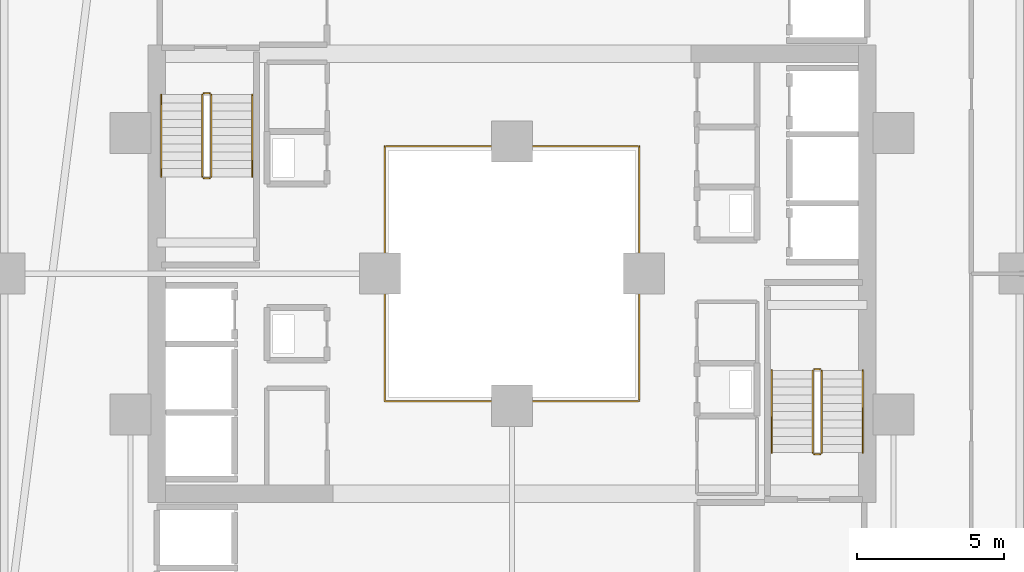
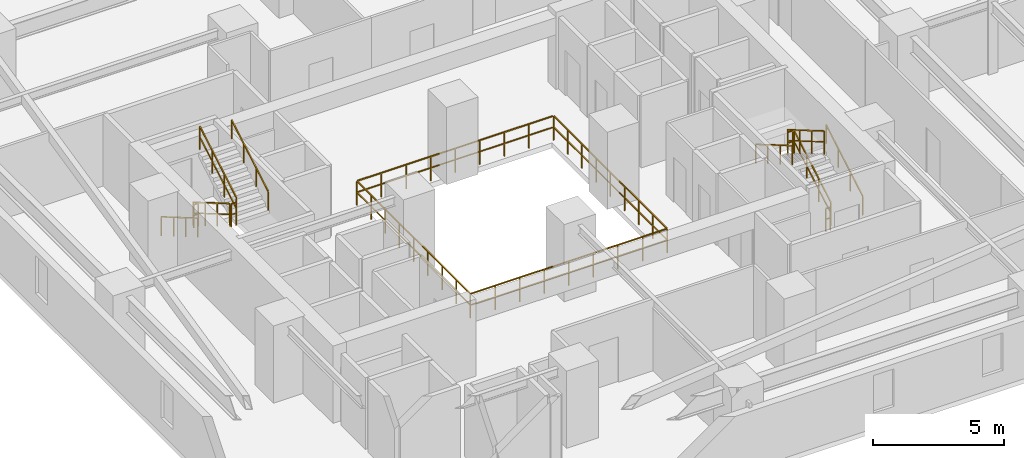
# One storey, part 33 of 34: 13 railings.
"""IFC4 building model written with IfcOpenShell, lengths in metres."""

import ifcopenshell
import ifcopenshell.guid

model = None  # the IFC model being written
_history = None  # IfcOwnerHistory: only IFC2X3 demands one
_inside = {}  # id of a spatial element -> (the spatial element, [elements in it])
_under = {}  # id of a project, library or spatial element -> (it, [spatial elements below it])
_declared = {}  # id of a project -> (the project, [libraries it declares])
_typed = {}  # id of a type object -> (the type object, [elements of that type])
_made_of = {}  # id of a material, layer set ... -> (it, [elements and type objects made of it])


def new_model(schema):
    """Start an empty IFC model of exactly this schema.

    Asked for "IFC4X3", IfcOpenShell would pick the latest addendum, in which some entities
    have other attributes; the version numbers below select the first issue.
    IFC2X3 requires an IfcOwnerHistory on every rooted entity: one is made here for all.
    """
    global model, _history
    if schema == "IFC4X3":
        model = ifcopenshell.file(schema_version=(4, 3, 0, 0))
    else:
        model = ifcopenshell.file(schema=schema)
    _inside.clear()
    _under.clear()
    _declared.clear()
    _typed.clear()
    _made_of.clear()
    _history = None
    if model.schema == "IFC2X3":
        org = make("IfcOrganization", Name="unknown")
        user = make(
            "IfcPersonAndOrganization",
            ThePerson=make("IfcPerson", FamilyName="unknown"),
            TheOrganization=org,
        )
        app = make(
            "IfcApplication",
            ApplicationDeveloper=org,
            Version="unknown",
            ApplicationFullName="unknown",
            ApplicationIdentifier="unknown",
        )
        _history = make(
            "IfcOwnerHistory",
            OwningUser=user,
            OwningApplication=app,
            ChangeAction="ADDED",
            CreationDate=0,
        )
    return model


def make(cls, **values):
    """One entity of the class cls with the attributes given. An attribute that is None is left unset."""
    return model.create_entity(
        cls, **{name: value for name, value in values.items() if value is not None}
    )


def rooted(cls, **values):
    """An entity with a GlobalId (a new one), such as an element, a storey or a relation."""
    return make(cls, GlobalId=ifcopenshell.guid.new(), OwnerHistory=_history, **values)


def si_unit(unit_type, name, prefix=None):
    """IfcSIUnit, for example si_unit("LENGTHUNIT", "METRE", prefix="MILLI")."""
    return make("IfcSIUnit", UnitType=unit_type, Prefix=prefix, Name=name)


def assignment(units):
    """IfcUnitAssignment: the units of a project."""
    return None if units is None else make("IfcUnitAssignment", Units=units)


def point(xyz):
    """IfcCartesianPoint."""
    return None if xyz is None else make("IfcCartesianPoint", Coordinates=xyz)


def direction(xyz):
    """IfcDirection."""
    return None if xyz is None else make("IfcDirection", DirectionRatios=xyz)


def frame(location, z_axis=None, x_axis=None):
    """IfcAxis2Placement3D, a coordinate frame: its origin and axes. An axis left out is left unset."""
    return make(
        "IfcAxis2Placement3D",
        Location=point(location),
        Axis=direction(z_axis),
        RefDirection=direction(x_axis),
    )


def frame_2d(location, x_axis=None):
    """IfcAxis2Placement2D, a coordinate frame in the plane: its origin and x axis."""
    return make(
        "IfcAxis2Placement2D", Location=point(location), RefDirection=direction(x_axis)
    )


def origin():
    """The frame at (0, 0, 0) with its axes left unset."""
    return frame((0.0, 0.0, 0.0))


def origin_2d():
    """The frame at (0, 0) in the plane with its x axis left unset."""
    return frame_2d((0.0, 0.0))


def place(relative_to, where):
    """IfcLocalPlacement: puts the frame where relative to a parent placement (None: the world)."""
    return make(
        "IfcLocalPlacement", PlacementRelTo=relative_to, RelativePlacement=where
    )


def context(
    kind, dimensions, precision=None, world=None, true_north=None, identifier=None
):
    """IfcGeometricRepresentationContext, for example the 3D "Model" context."""
    return make(
        "IfcGeometricRepresentationContext",
        ContextIdentifier=identifier,
        ContextType=kind,
        CoordinateSpaceDimension=dimensions,
        Precision=precision,
        WorldCoordinateSystem=world,
        TrueNorth=true_north,
    )


def subcontext(parent, identifier, kind, view, scale=None):
    """IfcGeometricRepresentationSubContext, for example "Body" below "Model"."""
    return make(
        "IfcGeometricRepresentationSubContext",
        ContextIdentifier=identifier,
        ContextType=kind,
        ParentContext=parent,
        TargetScale=scale,
        TargetView=view,
    )


def project(units=None, contexts=None):
    """IfcProject with its units and contexts."""
    return rooted(
        "IfcProject",
        Name="project",
        RepresentationContexts=contexts,
        UnitsInContext=assignment(units),
    )


def spatial(cls, under=None, at=None, **own):
    """A site, building, storey or space (cls), placed at a placement, below another one or the project."""
    s = rooted(cls, ObjectPlacement=at, **own)
    if under is not None:
        _under.setdefault(under.id(), (under, []))[1].append(s)
    return s


def profile(cls, at=None, kind="AREA", **sizes):
    """A parametric profile (cls). Its sizes go by their IFC names, for example OverallWidth=200.0."""
    return make(cls, ProfileType=kind, Position=at, **sizes)


def rectangle(**sizes):
    """IfcRectangleProfileDef."""
    return profile("IfcRectangleProfileDef", **sizes)


def extrude(swept, where, along, depth):
    """IfcExtrudedAreaSolid: the profile swept, set in the frame where, extruded along a direction by depth."""
    return make(
        "IfcExtrudedAreaSolid",
        SweptArea=swept,
        Position=where,
        ExtrudedDirection=direction(along),
        Depth=depth,
    )


def shape(context_of_items, identifier, shape_type, items):
    """IfcShapeRepresentation: the items that make up one representation, for example the "Body"."""
    return make(
        "IfcShapeRepresentation",
        ContextOfItems=context_of_items,
        RepresentationIdentifier=identifier,
        RepresentationType=shape_type,
        Items=items,
    )


def material(Name=None, Category=None):
    """IfcMaterial."""
    return make("IfcMaterial", Name=Name, Category=Category)


def made_of(thing, what):
    """Note that an element or type object is made of a material, layer set ...; save() writes the relation."""
    if what is not None:
        _made_of.setdefault(what.id(), (what, []))[1].append(thing)
    return thing


def type_object(cls, material=None, **own):
    """A type object (cls), such as IfcWallType, which elements share."""
    return made_of(rooted(cls, **own), material)


def element(
    cls,
    number,
    at=None,
    inside=None,
    cuts=None,
    type_object=None,
    material=None,
    context=None,
    identifier="Body",
    shape_type=None,
    held_by="IfcProductDefinitionShape",
    body=None,
    shapes=None,
    **own,
):
    """One element of the class cls, such as IfcWall. Its Tag is "e" and its number.

    at: its placement. inside: the storey or other place that contains it. cuts: it is an
    opening in that element (IfcRelVoidsElement). A single representation is given by context,
    identifier, shape_type and body (its items); several are given by shapes. held_by: the class
    of the entity that holds the representations. save() writes the other relations.
    """
    e = rooted(cls, Tag="e%d" % number, ObjectPlacement=at, **own)
    if body is not None:
        shapes = [shape(context, identifier, shape_type, body)]
    if shapes is not None:
        e.Representation = make(held_by, Representations=shapes)
    if inside is not None:
        _inside.setdefault(inside.id(), (inside, []))[1].append(e)
    if cuts is not None:
        rooted(
            "IfcRelVoidsElement", RelatingBuildingElement=cuts, RelatedOpeningElement=e
        )
    if type_object is not None:
        _typed.setdefault(type_object.id(), (type_object, []))[1].append(e)
    return made_of(e, material)


def aggregate(whole, parts):
    """IfcRelAggregates: a whole, such as a stair, and the parts it consists of."""
    return rooted("IfcRelAggregates", RelatingObject=whole, RelatedObjects=parts)


def save(model, path):
    """Write the relations noted so far, then the file.

    IfcRelAggregates (storeys below a building ...), IfcRelContainedInSpatialStructure (elements
    in a storey), IfcRelDefinesByType, IfcRelAssociatesMaterial and IfcRelDeclares: one each for
    every whole, place, type object, material and project.
    """
    for whole, parts in _under.values():
        aggregate(whole, parts)
    for where, things in _inside.values():
        rooted(
            "IfcRelContainedInSpatialStructure",
            RelatedElements=things,
            RelatingStructure=where,
        )
    for kind, things in _typed.values():
        rooted("IfcRelDefinesByType", RelatedObjects=things, RelatingType=kind)
    for what, things in _made_of.values():
        rooted("IfcRelAssociatesMaterial", RelatedObjects=things, RelatingMaterial=what)
    for by, libraries in _declared.values():
        rooted("IfcRelDeclares", RelatingContext=by, RelatedDefinitions=libraries)
    model.write(path)


model = new_model("IFC4")

# Units and contexts
model_context = context("Model", 3, precision=1e-05, world=origin(), true_north=direction((0.0, 1.0)))
body_context = subcontext(model_context, "Body", "Model", "MODEL_VIEW")
ifc_project = project(units=[si_unit("LENGTHUNIT", "METRE"), si_unit("AREAUNIT", "SQUARE_METRE"), si_unit("VOLUMEUNIT", "CUBIC_METRE"), si_unit("PLANEANGLEUNIT", "RADIAN"), si_unit("MASSUNIT", "GRAM", prefix="KILO")], contexts=[model_context])

# Site, building, storey
site_placement = place(None, origin())
site = spatial("IfcSite", under=ifc_project, at=site_placement, CompositionType="ELEMENT")
building_placement = place(site_placement, origin())
building = spatial("IfcBuilding", under=site, at=building_placement, Name="Thornwick Lancets Civic Towers", CompositionType="ELEMENT")
storey_placement = place(building_placement, frame((0.0, 0.0, 57.300048828125)))
storey = spatial("IfcBuildingStorey", under=building, at=storey_placement, Name="L14", CompositionType="ELEMENT", Elevation=57.300048828125)

# Railings
ifc_material_1 = material(Name="Laminated glass and bronze steel S355", Category="steel")
railing_type_1 = type_object("IfcRailingType", Name="RAIL_ATRIUM_GUARD", PredefinedType="BALUSTRADE", material=ifc_material_1)
railing_1_placement = place(storey_placement, frame((84.159912109375, 22.659912109375, 0.0)))
element("IfcRailing", 1, at=railing_1_placement, inside=storey, type_object=railing_type_1, Name="L14 Tower B Central Atrium Guard Balustrade", PredefinedType="BALUSTRADE", context=body_context, shape_type="SweptSolid", body=[
    extrude(rectangle(XDim=0.048095703125, YDim=0.048095703125, at=origin_2d()), frame((0.0, 0.0, 1.1259765625), z_axis=(1.0, 0.0, 0.0), x_axis=(0.0, 1.0, 0.0)), (0.0, 0.0, 1.0), 8.64892578125),
    extrude(rectangle(XDim=0.0419921875, YDim=0.0419921875, at=origin_2d()), frame((0.03759765625, 0.0, 0.597900390625), z_axis=(1.0, 0.0, 0.0), x_axis=(0.0, 1.0, 0.0)), (0.0, 0.0, 1.0), 1.010009765625),
    extrude(rectangle(XDim=0.0419921875, YDim=0.0419921875, at=origin_2d()), frame((1.12255859375, 0.0, 0.597900390625), z_axis=(1.0, 0.0, 0.0), x_axis=(0.0, 1.0, 0.0)), (0.0, 0.0, 1.0), 1.010009765625),
    extrude(rectangle(XDim=0.0419921875, YDim=0.0419921875, at=origin_2d()), frame((2.20751953125, 0.0, 0.597900390625), z_axis=(1.0, 0.0, 0.0), x_axis=(0.0, 1.0, 0.0)), (0.0, 0.0, 1.0), 1.010009765625),
    extrude(rectangle(XDim=0.0419921875, YDim=0.0419921875, at=origin_2d()), frame((3.29248046875, 0.0, 0.597900390625), z_axis=(1.0, 0.0, 0.0), x_axis=(0.0, 1.0, 0.0)), (0.0, 0.0, 1.0), 1.010009765625),
    extrude(rectangle(XDim=0.0419921875, YDim=0.0419921875, at=origin_2d()), frame((4.377685546875, 0.0, 0.597900390625), z_axis=(1.0, 0.0, 0.0), x_axis=(0.0, 1.0, 0.0)), (0.0, 0.0, 1.0), 1.010009765625),
    extrude(rectangle(XDim=0.0419921875, YDim=0.0419921875, at=origin_2d()), frame((5.462646484375, 0.0, 0.597900390625), z_axis=(1.0, 0.0, 0.0), x_axis=(0.0, 1.0, 0.0)), (0.0, 0.0, 1.0), 1.010009765625),
    extrude(rectangle(XDim=0.0419921875, YDim=0.0419921875, at=origin_2d()), frame((6.547607421875, 0.0, 0.597900390625), z_axis=(1.0, 0.0, 0.0), x_axis=(0.0, 1.0, 0.0)), (0.0, 0.0, 1.0), 1.010009765625),
    extrude(rectangle(XDim=0.0419921875, YDim=0.0419921875, at=origin_2d()), frame((7.632568359375, 0.0, 0.597900390625), z_axis=(1.0, 0.0, 0.0), x_axis=(0.0, 1.0, 0.0)), (0.0, 0.0, 1.0), 1.010009765625),
    extrude(rectangle(XDim=0.048095703125, YDim=0.048095703125, at=origin_2d()), frame((8.68017578125, 0.03125, 1.1259765625), z_axis=(0.0, 1.0, 0.0), x_axis=(-1.0, 0.0, 0.0)), (0.0, 0.0, 1.0), 8.61767578125),
    extrude(rectangle(XDim=0.0419921875, YDim=0.0419921875, at=origin_2d()), frame((8.68017578125, 0.03759765625, 0.597900390625), z_axis=(0.0, 1.0, 0.0), x_axis=(-1.0, 0.0, 0.0)), (0.0, 0.0, 1.0), 1.010009765625),
    extrude(rectangle(XDim=0.0419921875, YDim=0.0419921875, at=origin_2d()), frame((8.68017578125, 1.12255859375, 0.597900390625), z_axis=(0.0, 1.0, 0.0), x_axis=(-1.0, 0.0, 0.0)), (0.0, 0.0, 1.0), 1.010009765625),
    extrude(rectangle(XDim=0.0419921875, YDim=0.0419921875, at=origin_2d()), frame((8.68017578125, 2.20751953125, 0.597900390625), z_axis=(0.0, 1.0, 0.0), x_axis=(-1.0, 0.0, 0.0)), (0.0, 0.0, 1.0), 1.010009765625),
    extrude(rectangle(XDim=0.0419921875, YDim=0.0419921875, at=origin_2d()), frame((8.68017578125, 3.29248046875, 0.597900390625), z_axis=(0.0, 1.0, 0.0), x_axis=(-1.0, 0.0, 0.0)), (0.0, 0.0, 1.0), 1.010009765625),
    extrude(rectangle(XDim=0.0419921875, YDim=0.0419921875, at=origin_2d()), frame((8.68017578125, 4.377685546875, 0.597900390625), z_axis=(0.0, 1.0, 0.0), x_axis=(-1.0, 0.0, 0.0)), (0.0, 0.0, 1.0), 1.010009765625),
    extrude(rectangle(XDim=0.0419921875, YDim=0.0419921875, at=origin_2d()), frame((8.68017578125, 5.462646484375, 0.597900390625), z_axis=(0.0, 1.0, 0.0), x_axis=(-1.0, 0.0, 0.0)), (0.0, 0.0, 1.0), 1.010009765625),
    extrude(rectangle(XDim=0.0419921875, YDim=0.0419921875, at=origin_2d()), frame((8.68017578125, 6.547607421875, 0.597900390625), z_axis=(0.0, 1.0, 0.0), x_axis=(-1.0, 0.0, 0.0)), (0.0, 0.0, 1.0), 1.010009765625),
    extrude(rectangle(XDim=0.0419921875, YDim=0.0419921875, at=origin_2d()), frame((8.68017578125, 7.632568359375, 0.597900390625), z_axis=(0.0, 1.0, 0.0), x_axis=(-1.0, 0.0, 0.0)), (0.0, 0.0, 1.0), 1.010009765625),
    extrude(rectangle(XDim=0.048095703125, YDim=0.048095703125, at=origin_2d()), frame((8.64892578125, 8.68017578125, 1.1259765625), z_axis=(-1.0, 0.0, 0.0), x_axis=(0.0, -1.0, 0.0)), (0.0, 0.0, 1.0), 8.61767578125),
    extrude(rectangle(XDim=0.0419921875, YDim=0.0419921875, at=origin_2d()), frame((8.642578125, 8.68017578125, 0.597900390625), z_axis=(-1.0, 0.0, 0.0), x_axis=(0.0, -1.0, 0.0)), (0.0, 0.0, 1.0), 1.010009765625),
    extrude(rectangle(XDim=0.0419921875, YDim=0.0419921875, at=origin_2d()), frame((7.5576171875, 8.68017578125, 0.597900390625), z_axis=(-1.0, 0.0, 0.0), x_axis=(0.0, -1.0, 0.0)), (0.0, 0.0, 1.0), 1.010009765625),
    extrude(rectangle(XDim=0.0419921875, YDim=0.0419921875, at=origin_2d()), frame((6.47265625, 8.68017578125, 0.597900390625), z_axis=(-1.0, 0.0, 0.0), x_axis=(0.0, -1.0, 0.0)), (0.0, 0.0, 1.0), 1.010009765625),
    extrude(rectangle(XDim=0.0419921875, YDim=0.0419921875, at=origin_2d()), frame((5.3876953125, 8.68017578125, 0.597900390625), z_axis=(-1.0, 0.0, 0.0), x_axis=(0.0, -1.0, 0.0)), (0.0, 0.0, 1.0), 1.010009765625),
    extrude(rectangle(XDim=0.0419921875, YDim=0.0419921875, at=origin_2d()), frame((4.302490234375, 8.68017578125, 0.597900390625), z_axis=(-1.0, 0.0, 0.0), x_axis=(0.0, -1.0, 0.0)), (0.0, 0.0, 1.0), 1.010009765625),
    extrude(rectangle(XDim=0.0419921875, YDim=0.0419921875, at=origin_2d()), frame((3.217529296875, 8.68017578125, 0.597900390625), z_axis=(-1.0, 0.0, 0.0), x_axis=(0.0, -1.0, 0.0)), (0.0, 0.0, 1.0), 1.010009765625),
    extrude(rectangle(XDim=0.0419921875, YDim=0.0419921875, at=origin_2d()), frame((2.132568359375, 8.68017578125, 0.597900390625), z_axis=(-1.0, 0.0, 0.0), x_axis=(0.0, -1.0, 0.0)), (0.0, 0.0, 1.0), 1.010009765625),
    extrude(rectangle(XDim=0.0419921875, YDim=0.0419921875, at=origin_2d()), frame((1.047607421875, 8.68017578125, 0.597900390625), z_axis=(-1.0, 0.0, 0.0), x_axis=(0.0, -1.0, 0.0)), (0.0, 0.0, 1.0), 1.010009765625),
    extrude(rectangle(XDim=0.048095703125, YDim=0.048095703125, at=origin_2d()), frame((0.0, 8.64892578125, 1.1259765625), z_axis=(0.0, -1.0, 0.0), x_axis=(1.0, 0.0, 0.0)), (0.0, 0.0, 1.0), 8.64892578125),
    extrude(rectangle(XDim=0.0419921875, YDim=0.0419921875, at=origin_2d()), frame((0.0, 8.642578125, 0.597900390625), z_axis=(0.0, -1.0, 0.0), x_axis=(1.0, 0.0, 0.0)), (0.0, 0.0, 1.0), 1.010009765625),
    extrude(rectangle(XDim=0.0419921875, YDim=0.0419921875, at=origin_2d()), frame((0.0, 7.5576171875, 0.597900390625), z_axis=(0.0, -1.0, 0.0), x_axis=(1.0, 0.0, 0.0)), (0.0, 0.0, 1.0), 1.010009765625),
    extrude(rectangle(XDim=0.0419921875, YDim=0.0419921875, at=origin_2d()), frame((0.0, 6.47265625, 0.597900390625), z_axis=(0.0, -1.0, 0.0), x_axis=(1.0, 0.0, 0.0)), (0.0, 0.0, 1.0), 1.010009765625),
    extrude(rectangle(XDim=0.0419921875, YDim=0.0419921875, at=origin_2d()), frame((0.0, 5.3876953125, 0.597900390625), z_axis=(0.0, -1.0, 0.0), x_axis=(1.0, 0.0, 0.0)), (0.0, 0.0, 1.0), 1.010009765625),
    extrude(rectangle(XDim=0.0419921875, YDim=0.0419921875, at=origin_2d()), frame((0.0, 4.302490234375, 0.597900390625), z_axis=(0.0, -1.0, 0.0), x_axis=(1.0, 0.0, 0.0)), (0.0, 0.0, 1.0), 1.010009765625),
    extrude(rectangle(XDim=0.0419921875, YDim=0.0419921875, at=origin_2d()), frame((0.0, 3.217529296875, 0.597900390625), z_axis=(0.0, -1.0, 0.0), x_axis=(1.0, 0.0, 0.0)), (0.0, 0.0, 1.0), 1.010009765625),
    extrude(rectangle(XDim=0.0419921875, YDim=0.0419921875, at=origin_2d()), frame((0.0, 2.132568359375, 0.597900390625), z_axis=(0.0, -1.0, 0.0), x_axis=(1.0, 0.0, 0.0)), (0.0, 0.0, 1.0), 1.010009765625),
    extrude(rectangle(XDim=0.0419921875, YDim=0.0419921875, at=origin_2d()), frame((0.0, 1.047607421875, 0.597900390625), z_axis=(0.0, -1.0, 0.0), x_axis=(1.0, 0.0, 0.0)), (0.0, 0.0, 1.0), 1.010009765625),
    extrude(rectangle(XDim=0.0419921875, YDim=0.0419921875, at=origin_2d()), origin(), (0.0, 0.0, 1.0), 1.095703125),
    extrude(rectangle(XDim=0.0419921875, YDim=0.0419921875, at=origin_2d()), frame((1.0849609375, 0.0, 0.0)), (0.0, 0.0, 1.0), 1.095703125),
    extrude(rectangle(XDim=0.0419921875, YDim=0.0419921875, at=origin_2d()), frame((2.169921875, 0.0, 0.0)), (0.0, 0.0, 1.0), 1.095703125),
    extrude(rectangle(XDim=0.0419921875, YDim=0.0419921875, at=origin_2d()), frame((3.255126953125, 0.0, 0.0)), (0.0, 0.0, 1.0), 1.095703125),
    extrude(rectangle(XDim=0.0419921875, YDim=0.0419921875, at=origin_2d()), frame((4.340087890625, 0.0, 0.0)), (0.0, 0.0, 1.0), 1.095703125),
    extrude(rectangle(XDim=0.0419921875, YDim=0.0419921875, at=origin_2d()), frame((5.425048828125, 0.0, 0.0)), (0.0, 0.0, 1.0), 1.095703125),
    extrude(rectangle(XDim=0.0419921875, YDim=0.0419921875, at=origin_2d()), frame((6.51025390625, 0.0, 0.0)), (0.0, 0.0, 1.0), 1.095703125),
    extrude(rectangle(XDim=0.0419921875, YDim=0.0419921875, at=origin_2d()), frame((7.59521484375, 0.0, 0.0)), (0.0, 0.0, 1.0), 1.095703125),
    extrude(rectangle(XDim=0.0419921875, YDim=0.0419921875, at=origin_2d()), frame((8.68017578125, 0.0, 0.0)), (0.0, 0.0, 1.0), 1.095703125),
    extrude(rectangle(XDim=0.0419921875, YDim=0.0419921875, at=origin_2d()), frame((8.68017578125, 1.0849609375, 0.0)), (0.0, 0.0, 1.0), 1.095703125),
    extrude(rectangle(XDim=0.0419921875, YDim=0.0419921875, at=origin_2d()), frame((8.68017578125, 2.169921875, 0.0)), (0.0, 0.0, 1.0), 1.095703125),
    extrude(rectangle(XDim=0.0419921875, YDim=0.0419921875, at=origin_2d()), frame((8.68017578125, 3.255126953125, 0.0)), (0.0, 0.0, 1.0), 1.095703125),
    extrude(rectangle(XDim=0.0419921875, YDim=0.0419921875, at=origin_2d()), frame((8.68017578125, 4.340087890625, 0.0)), (0.0, 0.0, 1.0), 1.095703125),
    extrude(rectangle(XDim=0.0419921875, YDim=0.0419921875, at=origin_2d()), frame((8.68017578125, 5.425048828125, 0.0)), (0.0, 0.0, 1.0), 1.095703125),
    extrude(rectangle(XDim=0.0419921875, YDim=0.0419921875, at=origin_2d()), frame((8.68017578125, 6.51025390625, 0.0)), (0.0, 0.0, 1.0), 1.095703125),
    extrude(rectangle(XDim=0.0419921875, YDim=0.0419921875, at=origin_2d()), frame((8.68017578125, 7.59521484375, 0.0)), (0.0, 0.0, 1.0), 1.095703125),
    extrude(rectangle(XDim=0.0419921875, YDim=0.0419921875, at=origin_2d()), frame((8.68017578125, 8.68017578125, 0.0)), (0.0, 0.0, 1.0), 1.095703125),
    extrude(rectangle(XDim=0.0419921875, YDim=0.0419921875, at=origin_2d()), frame((7.59521484375, 8.68017578125, 0.0)), (0.0, 0.0, 1.0), 1.095703125),
    extrude(rectangle(XDim=0.0419921875, YDim=0.0419921875, at=origin_2d()), frame((6.51025390625, 8.68017578125, 0.0)), (0.0, 0.0, 1.0), 1.095703125),
    extrude(rectangle(XDim=0.0419921875, YDim=0.0419921875, at=origin_2d()), frame((5.425048828125, 8.68017578125, 0.0)), (0.0, 0.0, 1.0), 1.095703125),
    extrude(rectangle(XDim=0.0419921875, YDim=0.0419921875, at=origin_2d()), frame((4.340087890625, 8.68017578125, 0.0)), (0.0, 0.0, 1.0), 1.095703125),
    extrude(rectangle(XDim=0.0419921875, YDim=0.0419921875, at=origin_2d()), frame((3.255126953125, 8.68017578125, 0.0)), (0.0, 0.0, 1.0), 1.095703125),
    extrude(rectangle(XDim=0.0419921875, YDim=0.0419921875, at=origin_2d()), frame((2.169921875, 8.68017578125, 0.0)), (0.0, 0.0, 1.0), 1.095703125),
    extrude(rectangle(XDim=0.0419921875, YDim=0.0419921875, at=origin_2d()), frame((1.0849609375, 8.68017578125, 0.0)), (0.0, 0.0, 1.0), 1.095703125),
    extrude(rectangle(XDim=0.0419921875, YDim=0.0419921875, at=origin_2d()), frame((0.0, 8.68017578125, 0.0)), (0.0, 0.0, 1.0), 1.095703125),
    extrude(rectangle(XDim=0.0419921875, YDim=0.0419921875, at=origin_2d()), frame((0.0, 7.59521484375, 0.0)), (0.0, 0.0, 1.0), 1.095703125),
    extrude(rectangle(XDim=0.0419921875, YDim=0.0419921875, at=origin_2d()), frame((0.0, 6.51025390625, 0.0)), (0.0, 0.0, 1.0), 1.095703125),
    extrude(rectangle(XDim=0.0419921875, YDim=0.0419921875, at=origin_2d()), frame((0.0, 5.425048828125, 0.0)), (0.0, 0.0, 1.0), 1.095703125),
    extrude(rectangle(XDim=0.0419921875, YDim=0.0419921875, at=origin_2d()), frame((0.0, 4.340087890625, 0.0)), (0.0, 0.0, 1.0), 1.095703125),
    extrude(rectangle(XDim=0.0419921875, YDim=0.0419921875, at=origin_2d()), frame((0.0, 3.255126953125, 0.0)), (0.0, 0.0, 1.0), 1.095703125),
    extrude(rectangle(XDim=0.0419921875, YDim=0.0419921875, at=origin_2d()), frame((0.0, 2.169921875, 0.0)), (0.0, 0.0, 1.0), 1.095703125),
    extrude(rectangle(XDim=0.0419921875, YDim=0.0419921875, at=origin_2d()), frame((0.0, 1.0849609375, 0.0)), (0.0, 0.0, 1.0), 1.095703125),
])
ifc_material_2 = material(Name="Brushed stainless steel S355", Category="steel")
railing_type_2 = type_object("IfcRailingType", Name="RAIL_HANDRAIL", PredefinedType="HANDRAIL", material=ifc_material_2)
railing_2_placement = place(storey_placement, frame((100.449951171875, 20.89990234375, 0.16357421875)))
element("IfcRailing", 2, at=railing_2_placement, inside=storey, type_object=railing_type_2, Name="L14 ST-B1 stair handrail 1", PredefinedType="HANDRAIL", context=body_context, shape_type="SweptSolid", body=[
    extrude(rectangle(XDim=0.048095703125, YDim=0.048095703125, at=origin_2d()), frame((0.0, 0.0, 0.8857421875), z_axis=(0.0, 0.863360870873, 0.504586966384), x_axis=(-1.0, 0.0, 0.0)), (0.0, 0.0, 1.0), 3.2431640625),
    extrude(rectangle(XDim=0.0419921875, YDim=0.0419921875, at=origin_2d()), origin(), (0.0, 0.0, 1.0), 0.855712890625),
    extrude(rectangle(XDim=0.0419921875, YDim=0.0419921875, at=origin_2d()), frame((0.0, 0.933349609375, 0.54541015625)), (0.0, 0.0, 1.0), 0.855712890625),
    extrude(rectangle(XDim=0.0419921875, YDim=0.0419921875, at=origin_2d()), frame((0.0, 1.86669921875, 1.091064453125)), (0.0, 0.0, 1.0), 0.855712890625),
    extrude(rectangle(XDim=0.0419921875, YDim=0.0419921875, at=origin_2d()), frame((0.0, 2.800048828125, 1.636474609375)), (0.0, 0.0, 1.0), 0.855712890625),
])
railing_3_placement = place(storey_placement, frame((97.35009765625, 23.699951171875, 1.963623046875)))
element("IfcRailing", 3, at=railing_3_placement, inside=storey, type_object=railing_type_2, Name="L14 ST-B1 stair handrail 2", PredefinedType="HANDRAIL", context=body_context, shape_type="SweptSolid", body=[
    extrude(rectangle(XDim=0.048095703125, YDim=0.048095703125, at=origin_2d()), frame((0.0, 0.0, 0.8857421875), z_axis=(0.0, -0.863393664356, 0.504530851732), x_axis=(1.0, 0.0, 0.0)), (0.0, 0.0, 1.0), 3.2431640625),
    extrude(rectangle(XDim=0.0419921875, YDim=0.0419921875, at=origin_2d()), origin(), (0.0, 0.0, 1.0), 0.855712890625),
    extrude(rectangle(XDim=0.0419921875, YDim=0.0419921875, at=origin_2d()), frame((0.0, -0.933349609375, 0.54541015625)), (0.0, 0.0, 1.0), 0.855712890625),
    extrude(rectangle(XDim=0.0419921875, YDim=0.0419921875, at=origin_2d()), frame((0.0, -1.86669921875, 1.0908203125)), (0.0, 0.0, 1.0), 0.855712890625),
    extrude(rectangle(XDim=0.0419921875, YDim=0.0419921875, at=origin_2d()), frame((0.0, -2.800048828125, 1.63623046875)), (0.0, 0.0, 1.0), 0.855712890625),
])
railing_4_placement = place(storey_placement, frame((76.550048828125, 33.10009765625, 0.16357421875)))
element("IfcRailing", 4, at=railing_4_placement, inside=storey, type_object=railing_type_2, Name="L14 ST-B2 stair handrail 1", PredefinedType="HANDRAIL", context=body_context, shape_type="SweptSolid", body=[
    extrude(rectangle(XDim=0.048095703125, YDim=0.048095703125, at=origin_2d()), frame((0.0, 0.0, 0.8857421875), z_axis=(0.0, -0.863360870873, 0.504586966384), x_axis=(1.0, 0.0, 0.0)), (0.0, 0.0, 1.0), 3.2431640625),
    extrude(rectangle(XDim=0.0419921875, YDim=0.0419921875, at=origin_2d()), origin(), (0.0, 0.0, 1.0), 0.855712890625),
    extrude(rectangle(XDim=0.0419921875, YDim=0.0419921875, at=origin_2d()), frame((0.0, -0.933349609375, 0.54541015625)), (0.0, 0.0, 1.0), 0.855712890625),
    extrude(rectangle(XDim=0.0419921875, YDim=0.0419921875, at=origin_2d()), frame((0.0, -1.86669921875, 1.091064453125)), (0.0, 0.0, 1.0), 0.855712890625),
    extrude(rectangle(XDim=0.0419921875, YDim=0.0419921875, at=origin_2d()), frame((0.0, -2.800048828125, 1.636474609375)), (0.0, 0.0, 1.0), 0.855712890625),
])
railing_5_placement = place(storey_placement, frame((79.64990234375, 30.300048828125, 1.963623046875)))
element("IfcRailing", 5, at=railing_5_placement, inside=storey, type_object=railing_type_2, Name="L14 ST-B2 stair handrail 2", PredefinedType="HANDRAIL", context=body_context, shape_type="SweptSolid", body=[
    extrude(rectangle(XDim=0.048095703125, YDim=0.048095703125, at=origin_2d()), frame((0.0, 0.0, 0.8857421875), z_axis=(0.0, 0.863393664356, 0.504530851732), x_axis=(-1.0, 0.0, 0.0)), (0.0, 0.0, 1.0), 3.2431640625),
    extrude(rectangle(XDim=0.0419921875, YDim=0.0419921875, at=origin_2d()), origin(), (0.0, 0.0, 1.0), 0.855712890625),
    extrude(rectangle(XDim=0.0419921875, YDim=0.0419921875, at=origin_2d()), frame((0.0, 0.933349609375, 0.54541015625)), (0.0, 0.0, 1.0), 0.855712890625),
    extrude(rectangle(XDim=0.0419921875, YDim=0.0419921875, at=origin_2d()), frame((0.0, 1.86669921875, 1.0908203125)), (0.0, 0.0, 1.0), 0.855712890625),
    extrude(rectangle(XDim=0.0419921875, YDim=0.0419921875, at=origin_2d()), frame((0.0, 2.800048828125, 1.63623046875)), (0.0, 0.0, 1.0), 0.855712890625),
])
ifc_material_3 = material(Name="Steel S355JR", Category="steel")
railing_type_3 = type_object("IfcRailingType", Name="RAIL_STAIR_GUARD", PredefinedType="GUARDRAIL", material=ifc_material_3)
railing_6_placement = place(storey_placement, frame((99.050048828125, 20.89990234375, 0.16357421875)))
element("IfcRailing", 6, at=railing_6_placement, inside=storey, type_object=railing_type_3, Name="L14 ST-B1 stair guard 1", PredefinedType="GUARDRAIL", context=body_context, shape_type="SweptSolid", body=[
    extrude(rectangle(XDim=0.048095703125, YDim=0.048095703125, at=origin_2d()), frame((0.0, 0.0, 1.076171875), z_axis=(0.0, 0.863360870873, 0.504586966384), x_axis=(-1.0, 0.0, 0.0)), (0.0, 0.0, 1.0), 3.2431640625),
    extrude(rectangle(XDim=0.0419921875, YDim=0.0419921875, at=origin_2d()), frame((0.0, 0.032470703125, 0.591064453125), z_axis=(0.0, 0.863360870873, 0.504586966384), x_axis=(-1.0, 0.0, 0.0)), (0.0, 0.0, 1.0), 1.006103515625),
    extrude(rectangle(XDim=0.0419921875, YDim=0.0419921875, at=origin_2d()), frame((0.0, 0.9658203125, 1.136474609375), z_axis=(0.0, 0.863360870873, 0.504586966384), x_axis=(-1.0, 0.0, 0.0)), (0.0, 0.0, 1.0), 1.006103515625),
    extrude(rectangle(XDim=0.0419921875, YDim=0.0419921875, at=origin_2d()), frame((0.0, 1.899169921875, 1.681884765625), z_axis=(0.0, 0.863360870873, 0.504586966384), x_axis=(-1.0, 0.0, 0.0)), (0.0, 0.0, 1.0), 1.006103515625),
    extrude(rectangle(XDim=0.0419921875, YDim=0.0419921875, at=origin_2d()), origin(), (0.0, 0.0, 1.0), 1.0458984375),
    extrude(rectangle(XDim=0.0419921875, YDim=0.0419921875, at=origin_2d()), frame((0.0, 0.933349609375, 0.54541015625)), (0.0, 0.0, 1.0), 1.0458984375),
    extrude(rectangle(XDim=0.0419921875, YDim=0.0419921875, at=origin_2d()), frame((0.0, 1.86669921875, 1.091064453125)), (0.0, 0.0, 1.0), 1.0458984375),
    extrude(rectangle(XDim=0.0419921875, YDim=0.0419921875, at=origin_2d()), frame((0.0, 2.800048828125, 1.636474609375)), (0.0, 0.0, 1.0), 1.0458984375),
])
railing_7_placement = place(storey_placement, frame((99.0, 23.75, 1.800048828125)))
element("IfcRailing", 7, at=railing_7_placement, inside=storey, type_object=railing_type_3, Name="L14 ST-B1 stair guard 2", PredefinedType="GUARDRAIL", context=body_context, shape_type="SweptSolid", body=[
    extrude(rectangle(XDim=0.048095703125, YDim=0.048095703125, at=origin_2d()), frame((0.0, 0.0, 1.076171875), z_axis=(-1.0, 0.0, 0.0), x_axis=(0.0, -1.0, 0.0)), (0.0, 0.0, 1.0), 0.199951171875),
    extrude(rectangle(XDim=0.0419921875, YDim=0.0419921875, at=origin_2d()), frame((-0.03759765625, 0.0, 0.572021484375), z_axis=(-1.0, 0.0, 0.0), x_axis=(0.0, -1.0, 0.0)), (0.0, 0.0, 1.0), 0.125),
    extrude(rectangle(XDim=0.0419921875, YDim=0.0419921875, at=origin_2d()), origin(), (0.0, 0.0, 1.0), 1.0458984375),
    extrude(rectangle(XDim=0.0419921875, YDim=0.0419921875, at=origin_2d()), frame((-0.199951171875, 0.0, 0.0)), (0.0, 0.0, 1.0), 1.0458984375),
])
railing_8_placement = place(storey_placement, frame((98.75, 23.699951171875, 1.963623046875)))
element("IfcRailing", 8, at=railing_8_placement, inside=storey, type_object=railing_type_3, Name="L14 ST-B1 stair guard 3", PredefinedType="GUARDRAIL", context=body_context, shape_type="SweptSolid", body=[
    extrude(rectangle(XDim=0.048095703125, YDim=0.048095703125, at=origin_2d()), frame((0.0, 0.0, 1.076171875), z_axis=(0.0, -0.863393664356, 0.504530851732), x_axis=(1.0, 0.0, 0.0)), (0.0, 0.0, 1.0), 3.2431640625),
    extrude(rectangle(XDim=0.0419921875, YDim=0.0419921875, at=origin_2d()), frame((0.0, -0.032470703125, 0.591064453125), z_axis=(0.0, -0.863393664356, 0.504530851732), x_axis=(1.0, 0.0, 0.0)), (0.0, 0.0, 1.0), 1.006103515625),
    extrude(rectangle(XDim=0.0419921875, YDim=0.0419921875, at=origin_2d()), frame((0.0, -0.9658203125, 1.136474609375), z_axis=(0.0, -0.863393664356, 0.504530851732), x_axis=(1.0, 0.0, 0.0)), (0.0, 0.0, 1.0), 1.006103515625),
    extrude(rectangle(XDim=0.0419921875, YDim=0.0419921875, at=origin_2d()), frame((0.0, -1.899169921875, 1.681884765625), z_axis=(0.0, -0.863393664356, 0.504530851732), x_axis=(1.0, 0.0, 0.0)), (0.0, 0.0, 1.0), 1.006103515625),
    extrude(rectangle(XDim=0.0419921875, YDim=0.0419921875, at=origin_2d()), origin(), (0.0, 0.0, 1.0), 1.0458984375),
    extrude(rectangle(XDim=0.0419921875, YDim=0.0419921875, at=origin_2d()), frame((0.0, -0.933349609375, 0.54541015625)), (0.0, 0.0, 1.0), 1.0458984375),
    extrude(rectangle(XDim=0.0419921875, YDim=0.0419921875, at=origin_2d()), frame((0.0, -1.86669921875, 1.0908203125)), (0.0, 0.0, 1.0), 1.0458984375),
    extrude(rectangle(XDim=0.0419921875, YDim=0.0419921875, at=origin_2d()), frame((0.0, -2.800048828125, 1.63623046875)), (0.0, 0.0, 1.0), 1.0458984375),
])
railing_9_placement = place(storey_placement, frame((99.0, 20.85009765625, 0.0)))
element("IfcRailing", 9, at=railing_9_placement, inside=storey, type_object=railing_type_3, Name="L14 ST-B1 stair guard 4", PredefinedType="GUARDRAIL", context=body_context, shape_type="SweptSolid", body=[
    extrude(rectangle(XDim=0.048095703125, YDim=0.048095703125, at=origin_2d()), frame((0.0, 0.0, 1.076171875), z_axis=(-1.0, 0.0, 0.0), x_axis=(0.0, -1.0, 0.0)), (0.0, 0.0, 1.0), 0.199951171875),
    extrude(rectangle(XDim=0.0419921875, YDim=0.0419921875, at=origin_2d()), frame((-0.03759765625, 0.0, 0.572021484375), z_axis=(-1.0, 0.0, 0.0), x_axis=(0.0, -1.0, 0.0)), (0.0, 0.0, 1.0), 0.125),
    extrude(rectangle(XDim=0.0419921875, YDim=0.0419921875, at=origin_2d()), origin(), (0.0, 0.0, 1.0), 1.0458984375),
    extrude(rectangle(XDim=0.0419921875, YDim=0.0419921875, at=origin_2d()), frame((-0.199951171875, 0.0, 0.0)), (0.0, 0.0, 1.0), 1.0458984375),
])
railing_10_placement = place(storey_placement, frame((77.949951171875, 33.10009765625, 0.16357421875)))
element("IfcRailing", 10, at=railing_10_placement, inside=storey, type_object=railing_type_3, Name="L14 ST-B2 stair guard 1", PredefinedType="GUARDRAIL", context=body_context, shape_type="SweptSolid", body=[
    extrude(rectangle(XDim=0.048095703125, YDim=0.048095703125, at=origin_2d()), frame((0.0, 0.0, 1.076171875), z_axis=(0.0, -0.863360870873, 0.504586966384), x_axis=(1.0, 0.0, 0.0)), (0.0, 0.0, 1.0), 3.2431640625),
    extrude(rectangle(XDim=0.0419921875, YDim=0.0419921875, at=origin_2d()), frame((0.0, -0.032470703125, 0.591064453125), z_axis=(0.0, -0.863360870873, 0.504586966384), x_axis=(1.0, 0.0, 0.0)), (0.0, 0.0, 1.0), 1.006103515625),
    extrude(rectangle(XDim=0.0419921875, YDim=0.0419921875, at=origin_2d()), frame((0.0, -0.9658203125, 1.136474609375), z_axis=(0.0, -0.863360870873, 0.504586966384), x_axis=(1.0, 0.0, 0.0)), (0.0, 0.0, 1.0), 1.006103515625),
    extrude(rectangle(XDim=0.0419921875, YDim=0.0419921875, at=origin_2d()), frame((0.0, -1.899169921875, 1.681884765625), z_axis=(0.0, -0.863360870873, 0.504586966384), x_axis=(1.0, 0.0, 0.0)), (0.0, 0.0, 1.0), 1.006103515625),
    extrude(rectangle(XDim=0.0419921875, YDim=0.0419921875, at=origin_2d()), origin(), (0.0, 0.0, 1.0), 1.0458984375),
    extrude(rectangle(XDim=0.0419921875, YDim=0.0419921875, at=origin_2d()), frame((0.0, -0.933349609375, 0.54541015625)), (0.0, 0.0, 1.0), 1.0458984375),
    extrude(rectangle(XDim=0.0419921875, YDim=0.0419921875, at=origin_2d()), frame((0.0, -1.86669921875, 1.091064453125)), (0.0, 0.0, 1.0), 1.0458984375),
    extrude(rectangle(XDim=0.0419921875, YDim=0.0419921875, at=origin_2d()), frame((0.0, -2.800048828125, 1.636474609375)), (0.0, 0.0, 1.0), 1.0458984375),
])
railing_11_placement = place(storey_placement, frame((78.0, 30.25, 1.800048828125)))
element("IfcRailing", 11, at=railing_11_placement, inside=storey, type_object=railing_type_3, Name="L14 ST-B2 stair guard 2", PredefinedType="GUARDRAIL", context=body_context, shape_type="SweptSolid", body=[
    extrude(rectangle(XDim=0.048095703125, YDim=0.048095703125, at=origin_2d()), frame((0.0, 0.0, 1.076171875), z_axis=(1.0, 0.0, 0.0), x_axis=(0.0, 1.0, 0.0)), (0.0, 0.0, 1.0), 0.199951171875),
    extrude(rectangle(XDim=0.0419921875, YDim=0.0419921875, at=origin_2d()), frame((0.03759765625, 0.0, 0.572021484375), z_axis=(1.0, 0.0, 0.0), x_axis=(0.0, 1.0, 0.0)), (0.0, 0.0, 1.0), 0.125),
    extrude(rectangle(XDim=0.0419921875, YDim=0.0419921875, at=origin_2d()), origin(), (0.0, 0.0, 1.0), 1.0458984375),
    extrude(rectangle(XDim=0.0419921875, YDim=0.0419921875, at=origin_2d()), frame((0.199951171875, 0.0, 0.0)), (0.0, 0.0, 1.0), 1.0458984375),
])
railing_12_placement = place(storey_placement, frame((78.25, 30.300048828125, 1.963623046875)))
element("IfcRailing", 12, at=railing_12_placement, inside=storey, type_object=railing_type_3, Name="L14 ST-B2 stair guard 3", PredefinedType="GUARDRAIL", context=body_context, shape_type="SweptSolid", body=[
    extrude(rectangle(XDim=0.048095703125, YDim=0.048095703125, at=origin_2d()), frame((0.0, 0.0, 1.076171875), z_axis=(0.0, 0.863393664356, 0.504530851732), x_axis=(-1.0, 0.0, 0.0)), (0.0, 0.0, 1.0), 3.2431640625),
    extrude(rectangle(XDim=0.0419921875, YDim=0.0419921875, at=origin_2d()), frame((0.0, 0.032470703125, 0.591064453125), z_axis=(0.0, 0.863393664356, 0.504530851732), x_axis=(-1.0, 0.0, 0.0)), (0.0, 0.0, 1.0), 1.006103515625),
    extrude(rectangle(XDim=0.0419921875, YDim=0.0419921875, at=origin_2d()), frame((0.0, 0.9658203125, 1.136474609375), z_axis=(0.0, 0.863393664356, 0.504530851732), x_axis=(-1.0, 0.0, 0.0)), (0.0, 0.0, 1.0), 1.006103515625),
    extrude(rectangle(XDim=0.0419921875, YDim=0.0419921875, at=origin_2d()), frame((0.0, 1.899169921875, 1.681884765625), z_axis=(0.0, 0.863393664356, 0.504530851732), x_axis=(-1.0, 0.0, 0.0)), (0.0, 0.0, 1.0), 1.006103515625),
    extrude(rectangle(XDim=0.0419921875, YDim=0.0419921875, at=origin_2d()), origin(), (0.0, 0.0, 1.0), 1.0458984375),
    extrude(rectangle(XDim=0.0419921875, YDim=0.0419921875, at=origin_2d()), frame((0.0, 0.933349609375, 0.54541015625)), (0.0, 0.0, 1.0), 1.0458984375),
    extrude(rectangle(XDim=0.0419921875, YDim=0.0419921875, at=origin_2d()), frame((0.0, 1.86669921875, 1.0908203125)), (0.0, 0.0, 1.0), 1.0458984375),
    extrude(rectangle(XDim=0.0419921875, YDim=0.0419921875, at=origin_2d()), frame((0.0, 2.800048828125, 1.63623046875)), (0.0, 0.0, 1.0), 1.0458984375),
])
railing_13_placement = place(storey_placement, frame((78.0, 33.14990234375, 0.0)))
element("IfcRailing", 13, at=railing_13_placement, inside=storey, type_object=railing_type_3, Name="L14 ST-B2 stair guard 4", PredefinedType="GUARDRAIL", context=body_context, shape_type="SweptSolid", body=[
    extrude(rectangle(XDim=0.048095703125, YDim=0.048095703125, at=origin_2d()), frame((0.0, 0.0, 1.076171875), z_axis=(1.0, 0.0, 0.0), x_axis=(0.0, 1.0, 0.0)), (0.0, 0.0, 1.0), 0.199951171875),
    extrude(rectangle(XDim=0.0419921875, YDim=0.0419921875, at=origin_2d()), frame((0.03759765625, 0.0, 0.572021484375), z_axis=(1.0, 0.0, 0.0), x_axis=(0.0, 1.0, 0.0)), (0.0, 0.0, 1.0), 0.125),
    extrude(rectangle(XDim=0.0419921875, YDim=0.0419921875, at=origin_2d()), origin(), (0.0, 0.0, 1.0), 1.0458984375),
    extrude(rectangle(XDim=0.0419921875, YDim=0.0419921875, at=origin_2d()), frame((0.199951171875, 0.0, 0.0)), (0.0, 0.0, 1.0), 1.0458984375),
])

save(model, "model.ifc")
